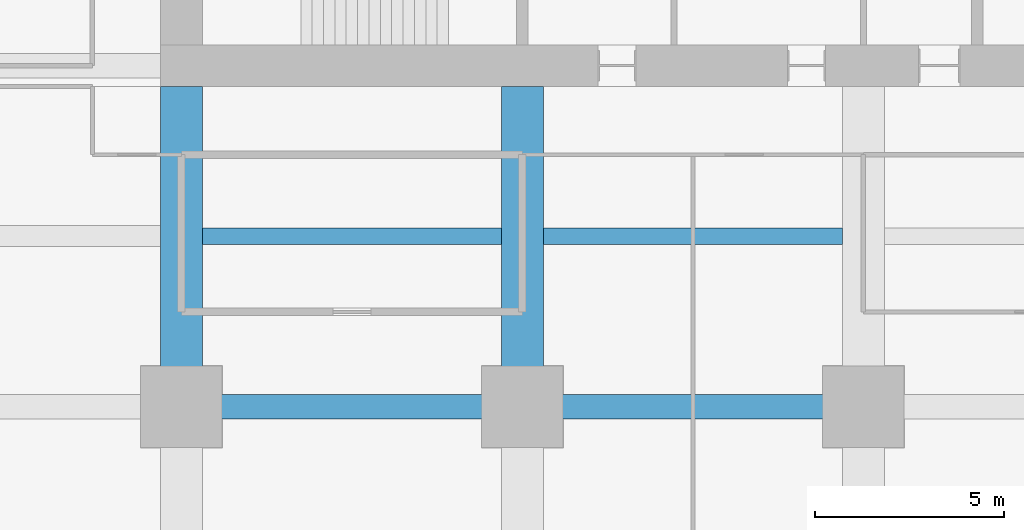
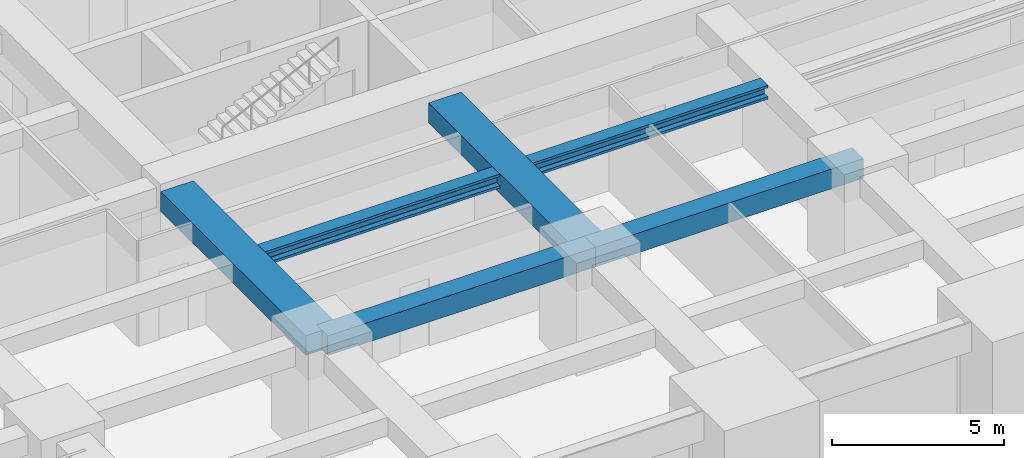
# One storey, part 8 of 41: 6 beams.
"""IFC4 building model written with IfcOpenShell, lengths in metres."""

from ifc_helpers import new_model, si_unit, direction, frame, origin, origin_2d, place, context, subcontext, project, spatial, rectangle, i_section, extrude, material, material_profile, profile_set, type_object, element, save


model = new_model("IFC4")

# Units and contexts
model_context = context("Model", 3, precision=1e-05, world=origin(), true_north=direction((0.0, 1.0)))
body_context = subcontext(model_context, "Body", "Model", "MODEL_VIEW")
ifc_project = project(units=[si_unit("LENGTHUNIT", "METRE"), si_unit("AREAUNIT", "SQUARE_METRE"), si_unit("VOLUMEUNIT", "CUBIC_METRE"), si_unit("PLANEANGLEUNIT", "RADIAN"), si_unit("MASSUNIT", "GRAM", prefix="KILO")], contexts=[model_context])

# Site, building, storey
site_placement = place(None, origin())
site = spatial("IfcSite", under=ifc_project, at=site_placement, CompositionType="ELEMENT")
building_placement = place(site_placement, origin())
building = spatial("IfcBuilding", under=site, at=building_placement, Name="Zorevar Civic Tower", CompositionType="ELEMENT")
storey_placement = place(building_placement, frame((0.0, 0.0, 89.0)))
storey = spatial("IfcBuildingStorey", under=building, at=storey_placement, Name="L21", CompositionType="ELEMENT", Elevation=89.0)

# Beams
ifc_material_1 = material(Name="Concrete C50/60", Category="concrete")
ifc_material_profile_1 = material_profile(ifc_material_1, rectangle(XDim=1.10009765625, YDim=0.699951171875, at=origin_2d()), Name="RC 1100x700")
ifc_profile_set_1 = profile_set([ifc_material_profile_1], Name="Concrete C50/60")
beam_type_1 = type_object("IfcBeamType", Name="Beam RC 1100x700", PredefinedType="BEAM", material=ifc_profile_set_1)
for number, where, z_axis, x_axis, name in (
    (1, (18.0, 9.0, 3.39990234375), (0.0, 1.0, 0.0), (-1.0, 0.0, 0.0), "Girder L22"),
    (2, (27.0, 9.0, 3.39990234375), (0.0, 1.0, 0.0), (-1.0, 0.0, 0.0), "Girder L22"),
):
    element("IfcBeam", number, at=place(storey_placement, frame(where, z_axis=z_axis, x_axis=x_axis)), inside=storey, type_object=beam_type_1, Name=name, PredefinedType="BEAM", context=body_context, shape_type="SweptSolid", body=[
        extrude(rectangle(XDim=1.10009765625, YDim=0.699951171875, at=origin_2d()), origin(), (0.0, 0.0, 1.0), 8.449951171875),
    ])
ifc_material_2 = material(Name="Concrete C50/60", Category="concrete")
ifc_material_profile_2 = material_profile(ifc_material_2, rectangle(XDim=0.64990234375, YDim=0.699951171875, at=origin_2d()), Name="RC 650x700")
ifc_profile_set_2 = profile_set([ifc_material_profile_2], Name="Concrete C50/60")
beam_type_2 = type_object("IfcBeamType", Name="Beam RC 650x700", PredefinedType="BEAM", material=ifc_profile_set_2)
for number, where, z_axis, x_axis, name in (
    (3, (18.0, 9.0, 3.39990234375), (1.0, 0.0, 0.0), (0.0, 1.0, 0.0), "Girder L22"),
    (4, (27.0, 9.0, 3.39990234375), (1.0, 0.0, 0.0), (0.0, 1.0, 0.0), "Girder L22"),
):
    element("IfcBeam", number, at=place(storey_placement, frame(where, z_axis=z_axis, x_axis=x_axis)), inside=storey, type_object=beam_type_2, Name=name, PredefinedType="BEAM", context=body_context, shape_type="SweptSolid", body=[
        extrude(rectangle(XDim=0.64990234375, YDim=0.699951171875, at=origin_2d()), origin(), (0.0, 0.0, 1.0), 9.0),
    ])
ifc_material_3 = material(Name="Steel S460M (HISTAR 460)", Category="steel")
ifc_material_profile_3 = material_profile(ifc_material_3, i_section(OverallWidth=0.431884765625, OverallDepth=0.498046875, WebThickness=0.0556640625, FlangeThickness=0.0888671875, FilletRadius=0.014892578125, at=origin_2d()), Name="HD 400x744")
ifc_profile_set_3 = profile_set([ifc_material_profile_3], Name="Steel S460M (HISTAR 460)")
beam_type_3 = type_object("IfcBeamType", Name="Core bay beam HD 400x744", PredefinedType="BEAM", material=ifc_profile_set_3)
for number, where, z_axis, x_axis, name in (
    (5, (18.550048828125, 13.5, 3.5009765625), (1.0, 0.0, 0.0), (0.0, 1.0, 0.0), "Secondary beam L22"),
    (6, (27.550048828125, 13.5, 3.5009765625), (1.0, 0.0, 0.0), (0.0, 1.0, 0.0), "Secondary beam L22"),
):
    element("IfcBeam", number, at=place(storey_placement, frame(where, z_axis=z_axis, x_axis=x_axis)), inside=storey, type_object=beam_type_3, Name=name, PredefinedType="BEAM", context=body_context, shape_type="SweptSolid", body=[
        extrude(i_section(OverallWidth=0.431884765625, OverallDepth=0.498046875, WebThickness=0.0556640625, FlangeThickness=0.0888671875, FilletRadius=0.014892578125, at=origin_2d()), origin(), (0.0, 0.0, 1.0), 7.89990234375),
    ])

save(model, "model.ifc")
